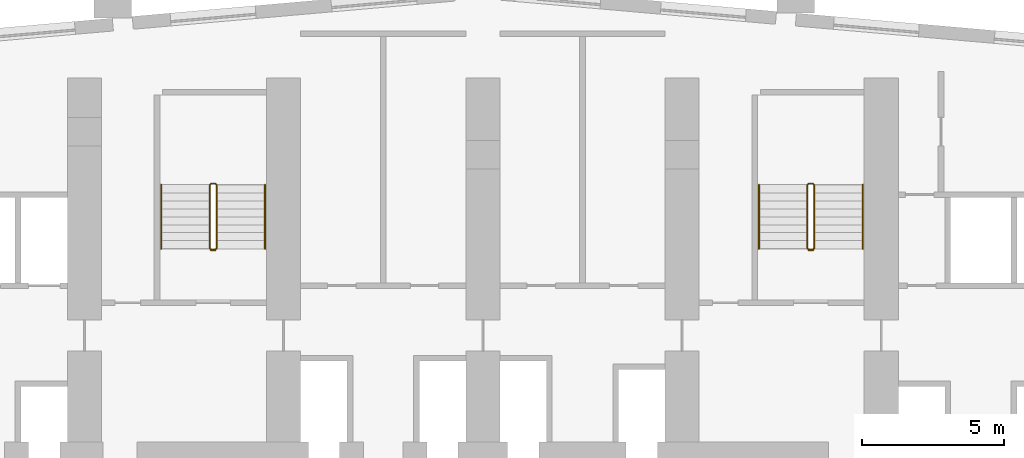
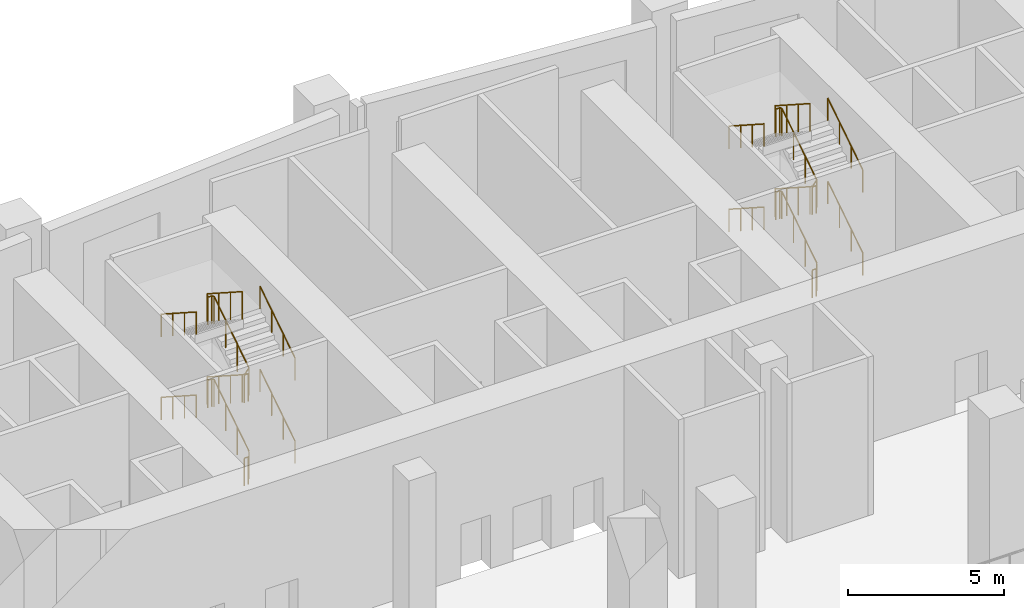
# One storey, part 29 of 30: 12 railings.
"""IFC4 building model written with IfcOpenShell, lengths in metres."""

import ifcopenshell
import ifcopenshell.guid

model = None  # the IFC model being written
_history = None  # IfcOwnerHistory: only IFC2X3 demands one
_inside = {}  # id of a spatial element -> (the spatial element, [elements in it])
_under = {}  # id of a project, library or spatial element -> (it, [spatial elements below it])
_declared = {}  # id of a project -> (the project, [libraries it declares])
_typed = {}  # id of a type object -> (the type object, [elements of that type])
_made_of = {}  # id of a material, layer set ... -> (it, [elements and type objects made of it])


def new_model(schema):
    """Start an empty IFC model of exactly this schema.

    Asked for "IFC4X3", IfcOpenShell would pick the latest addendum, in which some entities
    have other attributes; the version numbers below select the first issue.
    IFC2X3 requires an IfcOwnerHistory on every rooted entity: one is made here for all.
    """
    global model, _history
    if schema == "IFC4X3":
        model = ifcopenshell.file(schema_version=(4, 3, 0, 0))
    else:
        model = ifcopenshell.file(schema=schema)
    _inside.clear()
    _under.clear()
    _declared.clear()
    _typed.clear()
    _made_of.clear()
    _history = None
    if model.schema == "IFC2X3":
        org = make("IfcOrganization", Name="unknown")
        user = make(
            "IfcPersonAndOrganization",
            ThePerson=make("IfcPerson", FamilyName="unknown"),
            TheOrganization=org,
        )
        app = make(
            "IfcApplication",
            ApplicationDeveloper=org,
            Version="unknown",
            ApplicationFullName="unknown",
            ApplicationIdentifier="unknown",
        )
        _history = make(
            "IfcOwnerHistory",
            OwningUser=user,
            OwningApplication=app,
            ChangeAction="ADDED",
            CreationDate=0,
        )
    return model


def make(cls, **values):
    """One entity of the class cls with the attributes given. An attribute that is None is left unset."""
    return model.create_entity(
        cls, **{name: value for name, value in values.items() if value is not None}
    )


def rooted(cls, **values):
    """An entity with a GlobalId (a new one), such as an element, a storey or a relation."""
    return make(cls, GlobalId=ifcopenshell.guid.new(), OwnerHistory=_history, **values)


def si_unit(unit_type, name, prefix=None):
    """IfcSIUnit, for example si_unit("LENGTHUNIT", "METRE", prefix="MILLI")."""
    return make("IfcSIUnit", UnitType=unit_type, Prefix=prefix, Name=name)


def assignment(units):
    """IfcUnitAssignment: the units of a project."""
    return None if units is None else make("IfcUnitAssignment", Units=units)


def point(xyz):
    """IfcCartesianPoint."""
    return None if xyz is None else make("IfcCartesianPoint", Coordinates=xyz)


def direction(xyz):
    """IfcDirection."""
    return None if xyz is None else make("IfcDirection", DirectionRatios=xyz)


def frame(location, z_axis=None, x_axis=None):
    """IfcAxis2Placement3D, a coordinate frame: its origin and axes. An axis left out is left unset."""
    return make(
        "IfcAxis2Placement3D",
        Location=point(location),
        Axis=direction(z_axis),
        RefDirection=direction(x_axis),
    )


def frame_2d(location, x_axis=None):
    """IfcAxis2Placement2D, a coordinate frame in the plane: its origin and x axis."""
    return make(
        "IfcAxis2Placement2D", Location=point(location), RefDirection=direction(x_axis)
    )


def origin():
    """The frame at (0, 0, 0) with its axes left unset."""
    return frame((0.0, 0.0, 0.0))


def origin_2d():
    """The frame at (0, 0) in the plane with its x axis left unset."""
    return frame_2d((0.0, 0.0))


def place(relative_to, where):
    """IfcLocalPlacement: puts the frame where relative to a parent placement (None: the world)."""
    return make(
        "IfcLocalPlacement", PlacementRelTo=relative_to, RelativePlacement=where
    )


def context(
    kind, dimensions, precision=None, world=None, true_north=None, identifier=None
):
    """IfcGeometricRepresentationContext, for example the 3D "Model" context."""
    return make(
        "IfcGeometricRepresentationContext",
        ContextIdentifier=identifier,
        ContextType=kind,
        CoordinateSpaceDimension=dimensions,
        Precision=precision,
        WorldCoordinateSystem=world,
        TrueNorth=true_north,
    )


def subcontext(parent, identifier, kind, view, scale=None):
    """IfcGeometricRepresentationSubContext, for example "Body" below "Model"."""
    return make(
        "IfcGeometricRepresentationSubContext",
        ContextIdentifier=identifier,
        ContextType=kind,
        ParentContext=parent,
        TargetScale=scale,
        TargetView=view,
    )


def project(units=None, contexts=None):
    """IfcProject with its units and contexts."""
    return rooted(
        "IfcProject",
        Name="project",
        RepresentationContexts=contexts,
        UnitsInContext=assignment(units),
    )


def spatial(cls, under=None, at=None, **own):
    """A site, building, storey or space (cls), placed at a placement, below another one or the project."""
    s = rooted(cls, ObjectPlacement=at, **own)
    if under is not None:
        _under.setdefault(under.id(), (under, []))[1].append(s)
    return s


def profile(cls, at=None, kind="AREA", **sizes):
    """A parametric profile (cls). Its sizes go by their IFC names, for example OverallWidth=200.0."""
    return make(cls, ProfileType=kind, Position=at, **sizes)


def circle(**sizes):
    """IfcCircleProfileDef."""
    return profile("IfcCircleProfileDef", **sizes)


def extrude(swept, where, along, depth):
    """IfcExtrudedAreaSolid: the profile swept, set in the frame where, extruded along a direction by depth."""
    return make(
        "IfcExtrudedAreaSolid",
        SweptArea=swept,
        Position=where,
        ExtrudedDirection=direction(along),
        Depth=depth,
    )


def shape(context_of_items, identifier, shape_type, items):
    """IfcShapeRepresentation: the items that make up one representation, for example the "Body"."""
    return make(
        "IfcShapeRepresentation",
        ContextOfItems=context_of_items,
        RepresentationIdentifier=identifier,
        RepresentationType=shape_type,
        Items=items,
    )


def material(Name=None, Category=None):
    """IfcMaterial."""
    return make("IfcMaterial", Name=Name, Category=Category)


def made_of(thing, what):
    """Note that an element or type object is made of a material, layer set ...; save() writes the relation."""
    if what is not None:
        _made_of.setdefault(what.id(), (what, []))[1].append(thing)
    return thing


def type_object(cls, material=None, **own):
    """A type object (cls), such as IfcWallType, which elements share."""
    return made_of(rooted(cls, **own), material)


def element(
    cls,
    number,
    at=None,
    inside=None,
    cuts=None,
    type_object=None,
    material=None,
    context=None,
    identifier="Body",
    shape_type=None,
    held_by="IfcProductDefinitionShape",
    body=None,
    shapes=None,
    **own,
):
    """One element of the class cls, such as IfcWall. Its Tag is "e" and its number.

    at: its placement. inside: the storey or other place that contains it. cuts: it is an
    opening in that element (IfcRelVoidsElement). A single representation is given by context,
    identifier, shape_type and body (its items); several are given by shapes. held_by: the class
    of the entity that holds the representations. save() writes the other relations.
    """
    e = rooted(cls, Tag="e%d" % number, ObjectPlacement=at, **own)
    if body is not None:
        shapes = [shape(context, identifier, shape_type, body)]
    if shapes is not None:
        e.Representation = make(held_by, Representations=shapes)
    if inside is not None:
        _inside.setdefault(inside.id(), (inside, []))[1].append(e)
    if cuts is not None:
        rooted(
            "IfcRelVoidsElement", RelatingBuildingElement=cuts, RelatedOpeningElement=e
        )
    if type_object is not None:
        _typed.setdefault(type_object.id(), (type_object, []))[1].append(e)
    return made_of(e, material)


def aggregate(whole, parts):
    """IfcRelAggregates: a whole, such as a stair, and the parts it consists of."""
    return rooted("IfcRelAggregates", RelatingObject=whole, RelatedObjects=parts)


def save(model, path):
    """Write the relations noted so far, then the file.

    IfcRelAggregates (storeys below a building ...), IfcRelContainedInSpatialStructure (elements
    in a storey), IfcRelDefinesByType, IfcRelAssociatesMaterial and IfcRelDeclares: one each for
    every whole, place, type object, material and project.
    """
    for whole, parts in _under.values():
        aggregate(whole, parts)
    for where, things in _inside.values():
        rooted(
            "IfcRelContainedInSpatialStructure",
            RelatedElements=things,
            RelatingStructure=where,
        )
    for kind, things in _typed.values():
        rooted("IfcRelDefinesByType", RelatedObjects=things, RelatingType=kind)
    for what, things in _made_of.values():
        rooted("IfcRelAssociatesMaterial", RelatedObjects=things, RelatingMaterial=what)
    for by, libraries in _declared.values():
        rooted("IfcRelDeclares", RelatingContext=by, RelatedDefinitions=libraries)
    model.write(path)


model = new_model("IFC4")

# Units and contexts
model_context = context("Model", 3, precision=1e-05, world=origin(), true_north=direction((0.0, 1.0)))
body_context = subcontext(model_context, "Body", "Model", "MODEL_VIEW")
ifc_project = project(units=[si_unit("LENGTHUNIT", "METRE"), si_unit("AREAUNIT", "SQUARE_METRE"), si_unit("VOLUMEUNIT", "CUBIC_METRE"), si_unit("PLANEANGLEUNIT", "RADIAN"), si_unit("MASSUNIT", "GRAM", prefix="KILO")], contexts=[model_context])

# Site, building, storey
site_placement = place(None, origin())
site = spatial("IfcSite", under=ifc_project, at=site_placement, CompositionType="ELEMENT")
building_placement = place(site_placement, origin())
building = spatial("IfcBuilding", under=site, at=building_placement, Name="Wharfspan Tower", CompositionType="ELEMENT")
storey_placement = place(building_placement, frame((0.0, 0.0, 15.0)))
storey = spatial("IfcBuildingStorey", under=building, at=storey_placement, Name="L02", CompositionType="ELEMENT", Elevation=15.0)

# Railings
ifc_material = material(Name="Steel S355J2", Category="steel")
railing_type_1 = type_object("IfcRailingType", Name="Stair guard 1100", PredefinedType="GUARDRAIL", material=ifc_material)
railing_1_placement = place(storey_placement, frame((27.649902, 42.0, 0.180664)))
element("IfcRailing", 1, at=railing_1_placement, inside=storey, type_object=railing_type_1, Name="L02 ST1 stair guard 1", PredefinedType="GUARDRAIL", context=body_context, shape_type="SweptSolid", body=[
    extrude(circle(Radius=0.023926, at=origin_2d()), frame((0.0, 0.0, 1.076172), z_axis=(0.0, 0.840437, 0.54191), x_axis=(-1.0, 0.0, 0.0)), (0.0, 0.0, 1.0), 2.665283),
    extrude(circle(Radius=0.023926, at=origin_2d()), frame((0.0, 2.23999, 2.520508), z_axis=(-0.705376, 0.708834, 0.0), x_axis=(-0.708834, -0.705376, 0.0)), (0.0, 0.0, 1.0), 0.070557),
    extrude(circle(Radius=0.023926, at=origin_2d()), frame((-0.049805, 2.290039, 2.520508), z_axis=(-1.0, 0.0, 0.0), x_axis=(0.0, -1.0, 0.0)), (0.0, 0.0, 1.0), 0.150146),
    extrude(circle(Radius=0.023926, at=origin_2d()), frame((-0.199951, 2.290039, 2.520508), z_axis=(-0.257938, -0.257938, 0.931094), x_axis=(0.707107, -0.707107, 0.0)), (0.0, 0.0, 1.0), 0.194092),
    extrude(circle(Radius=0.023926, at=origin_2d()), frame((-0.25, 2.23999, 2.701172), z_axis=(0.0, -0.840437, 0.54191), x_axis=(1.0, 0.0, 0.0)), (0.0, 0.0, 1.0), 2.665283),
    extrude(circle(Radius=0.023926, at=origin_2d()), frame((-0.25, 0.0, 4.145508), z_axis=(0.970143, -0.242536, 0.0), x_axis=(0.242536, 0.970143, 0.0)), (0.0, 0.0, 1.0), 0.206299),
    extrude(circle(Radius=0.023926, at=origin_2d()), frame((-0.049805, -0.050049, 4.145508), z_axis=(-1.0, 0.0, 0.0), x_axis=(0.0, -1.0, 0.0)), (0.0, 0.0, 1.0), 0.150146),
    extrude(circle(Radius=0.023926, at=origin_2d()), frame((-0.199951, -0.050049, 4.145508), z_axis=(0.729511, 0.182601, 0.659143), x_axis=(-0.242811, 0.970071, -4e-06)), (0.0, 0.0, 1.0), 0.27417),
    extrude(circle(Radius=0.023926, at=origin_2d()), frame((0.0, 0.0, 4.326172), z_axis=(0.0, 0.840437, 0.54191), x_axis=(-1.0, 0.0, 0.0)), (0.0, 0.0, 1.0), 2.665283),
    extrude(circle(Radius=0.023926, at=origin_2d()), frame((0.0, 2.23999, 5.770508), z_axis=(-0.705376, 0.708834, 0.0), x_axis=(-0.708834, -0.705376, 0.0)), (0.0, 0.0, 1.0), 0.070557),
    extrude(circle(Radius=0.023926, at=origin_2d()), frame((-0.049805, 2.290039, 5.770508), z_axis=(-1.0, 0.0, 0.0), x_axis=(0.0, -1.0, 0.0)), (0.0, 0.0, 1.0), 0.150146),
    extrude(circle(Radius=0.023926, at=origin_2d()), frame((-0.199951, 2.290039, 5.770508), z_axis=(-0.257938, -0.257938, 0.931094), x_axis=(0.707107, -0.707107, 0.0)), (0.0, 0.0, 1.0), 0.194092),
    extrude(circle(Radius=0.023926, at=origin_2d()), frame((-0.25, 2.23999, 5.951172), z_axis=(0.0, -0.840437, 0.54191), x_axis=(1.0, 0.0, 0.0)), (0.0, 0.0, 1.0), 2.665283),
    extrude(circle(Radius=0.020996, at=origin_2d()), origin(), (0.0, 0.0, 1.0), 1.052002),
    extrude(circle(Radius=0.020996, at=origin_2d()), frame((0.0, 0.746582, 0.481445)), (0.0, 0.0, 1.0), 1.052002),
    extrude(circle(Radius=0.020996, at=origin_2d()), frame((0.0, 1.493408, 0.962891)), (0.0, 0.0, 1.0), 1.052002),
    extrude(circle(Radius=0.020996, at=origin_2d()), frame((0.0, 2.23999, 1.444336)), (0.0, 0.0, 1.0), 1.052002),
    extrude(circle(Radius=0.020996, at=origin_2d()), frame((-0.049805, 2.290039, 1.444336)), (0.0, 0.0, 1.0), 1.052002),
    extrude(circle(Radius=0.020996, at=origin_2d()), frame((-0.199951, 2.290039, 1.444336)), (0.0, 0.0, 1.0), 1.052002),
    extrude(circle(Radius=0.020996, at=origin_2d()), frame((-0.25, 2.23999, 1.625)), (0.0, 0.0, 1.0), 1.052002),
    extrude(circle(Radius=0.020996, at=origin_2d()), frame((-0.25, 1.493408, 2.106445)), (0.0, 0.0, 1.0), 1.052002),
    extrude(circle(Radius=0.020996, at=origin_2d()), frame((-0.25, 0.746582, 2.587891)), (0.0, 0.0, 1.0), 1.052002),
    extrude(circle(Radius=0.020996, at=origin_2d()), frame((-0.25, 0.0, 3.069336)), (0.0, 0.0, 1.0), 1.052002),
    extrude(circle(Radius=0.020996, at=origin_2d()), frame((-0.049805, -0.050049, 3.069336)), (0.0, 0.0, 1.0), 1.052002),
    extrude(circle(Radius=0.020996, at=origin_2d()), frame((-0.199951, -0.050049, 3.069336)), (0.0, 0.0, 1.0), 1.052002),
    extrude(circle(Radius=0.020996, at=origin_2d()), frame((0.0, 0.0, 3.25)), (0.0, 0.0, 1.0), 1.052002),
    extrude(circle(Radius=0.020996, at=origin_2d()), frame((0.0, 0.746582, 3.731445)), (0.0, 0.0, 1.0), 1.052002),
    extrude(circle(Radius=0.020996, at=origin_2d()), frame((0.0, 1.493408, 4.212891)), (0.0, 0.0, 1.0), 1.052002),
    extrude(circle(Radius=0.020996, at=origin_2d()), frame((0.0, 2.23999, 4.694336)), (0.0, 0.0, 1.0), 1.052002),
    extrude(circle(Radius=0.020996, at=origin_2d()), frame((-0.049805, 2.290039, 4.694336)), (0.0, 0.0, 1.0), 1.052002),
    extrude(circle(Radius=0.020996, at=origin_2d()), frame((-0.199951, 2.290039, 4.694336)), (0.0, 0.0, 1.0), 1.052002),
    extrude(circle(Radius=0.020996, at=origin_2d()), frame((-0.25, 2.23999, 4.875)), (0.0, 0.0, 1.0), 1.052002),
    extrude(circle(Radius=0.020996, at=origin_2d()), frame((-0.25, 1.493408, 5.356445)), (0.0, 0.0, 1.0), 1.052002),
    extrude(circle(Radius=0.020996, at=origin_2d()), frame((-0.25, 0.746582, 5.837891)), (0.0, 0.0, 1.0), 1.052002),
    extrude(circle(Radius=0.020996, at=origin_2d()), frame((-0.25, 0.0, 6.319336)), (0.0, 0.0, 1.0), 1.052002),
])
railing_2_placement = place(storey_placement, frame((27.600098, 41.949951, 0.0)))
element("IfcRailing", 2, at=railing_2_placement, inside=storey, type_object=railing_type_1, Name="L02 ST1 stair guard 2", PredefinedType="GUARDRAIL", context=body_context, shape_type="SweptSolid", body=[
    extrude(circle(Radius=0.023926, at=origin_2d()), frame((0.0, 0.0, 1.076172), z_axis=(-1.0, 0.0, 0.0), x_axis=(0.0, -1.0, 0.0)), (0.0, 0.0, 1.0), 0.150146),
    extrude(circle(Radius=0.020996, at=origin_2d()), origin(), (0.0, 0.0, 1.0), 1.052002),
    extrude(circle(Radius=0.020996, at=origin_2d()), frame((-0.150146, 0.0, 0.0)), (0.0, 0.0, 1.0), 1.052002),
])
railing_3_placement = place(storey_placement, frame((48.649902, 42.0, 0.180664)))
element("IfcRailing", 3, at=railing_3_placement, inside=storey, type_object=railing_type_1, Name="L02 ST2 stair guard 1", PredefinedType="GUARDRAIL", context=body_context, shape_type="SweptSolid", body=[
    extrude(circle(Radius=0.023926, at=origin_2d()), frame((0.0, 0.0, 1.076172), z_axis=(0.0, 0.840437, 0.54191), x_axis=(-1.0, 0.0, 0.0)), (0.0, 0.0, 1.0), 2.665283),
    extrude(circle(Radius=0.023926, at=origin_2d()), frame((0.0, 2.23999, 2.520508), z_axis=(-0.705376, 0.708834, 0.0), x_axis=(-0.708834, -0.705376, 0.0)), (0.0, 0.0, 1.0), 0.070557),
    extrude(circle(Radius=0.023926, at=origin_2d()), frame((-0.049805, 2.290039, 2.520508), z_axis=(-1.0, 0.0, 0.0), x_axis=(0.0, -1.0, 0.0)), (0.0, 0.0, 1.0), 0.150146),
    extrude(circle(Radius=0.023926, at=origin_2d()), frame((-0.199951, 2.290039, 2.520508), z_axis=(-0.257938, -0.257938, 0.931094), x_axis=(0.707107, -0.707107, 0.0)), (0.0, 0.0, 1.0), 0.194092),
    extrude(circle(Radius=0.023926, at=origin_2d()), frame((-0.25, 2.23999, 2.701172), z_axis=(0.0, -0.840437, 0.54191), x_axis=(1.0, 0.0, 0.0)), (0.0, 0.0, 1.0), 2.665283),
    extrude(circle(Radius=0.023926, at=origin_2d()), frame((-0.25, 0.0, 4.145508), z_axis=(0.970143, -0.242536, 0.0), x_axis=(0.242536, 0.970143, 0.0)), (0.0, 0.0, 1.0), 0.206299),
    extrude(circle(Radius=0.023926, at=origin_2d()), frame((-0.049805, -0.050049, 4.145508), z_axis=(-1.0, 0.0, 0.0), x_axis=(0.0, -1.0, 0.0)), (0.0, 0.0, 1.0), 0.150146),
    extrude(circle(Radius=0.023926, at=origin_2d()), frame((-0.199951, -0.050049, 4.145508), z_axis=(0.729511, 0.182601, 0.659143), x_axis=(-0.242811, 0.970071, -4e-06)), (0.0, 0.0, 1.0), 0.27417),
    extrude(circle(Radius=0.023926, at=origin_2d()), frame((0.0, 0.0, 4.326172), z_axis=(0.0, 0.840437, 0.54191), x_axis=(-1.0, 0.0, 0.0)), (0.0, 0.0, 1.0), 2.665283),
    extrude(circle(Radius=0.023926, at=origin_2d()), frame((0.0, 2.23999, 5.770508), z_axis=(-0.705376, 0.708834, 0.0), x_axis=(-0.708834, -0.705376, 0.0)), (0.0, 0.0, 1.0), 0.070557),
    extrude(circle(Radius=0.023926, at=origin_2d()), frame((-0.049805, 2.290039, 5.770508), z_axis=(-1.0, 0.0, 0.0), x_axis=(0.0, -1.0, 0.0)), (0.0, 0.0, 1.0), 0.150146),
    extrude(circle(Radius=0.023926, at=origin_2d()), frame((-0.199951, 2.290039, 5.770508), z_axis=(-0.257938, -0.257938, 0.931094), x_axis=(0.707107, -0.707107, 0.0)), (0.0, 0.0, 1.0), 0.194092),
    extrude(circle(Radius=0.023926, at=origin_2d()), frame((-0.25, 2.23999, 5.951172), z_axis=(0.0, -0.840437, 0.54191), x_axis=(1.0, 0.0, 0.0)), (0.0, 0.0, 1.0), 2.665283),
    extrude(circle(Radius=0.020996, at=origin_2d()), origin(), (0.0, 0.0, 1.0), 1.052002),
    extrude(circle(Radius=0.020996, at=origin_2d()), frame((0.0, 0.746582, 0.481445)), (0.0, 0.0, 1.0), 1.052002),
    extrude(circle(Radius=0.020996, at=origin_2d()), frame((0.0, 1.493408, 0.962891)), (0.0, 0.0, 1.0), 1.052002),
    extrude(circle(Radius=0.020996, at=origin_2d()), frame((0.0, 2.23999, 1.444336)), (0.0, 0.0, 1.0), 1.052002),
    extrude(circle(Radius=0.020996, at=origin_2d()), frame((-0.049805, 2.290039, 1.444336)), (0.0, 0.0, 1.0), 1.052002),
    extrude(circle(Radius=0.020996, at=origin_2d()), frame((-0.199951, 2.290039, 1.444336)), (0.0, 0.0, 1.0), 1.052002),
    extrude(circle(Radius=0.020996, at=origin_2d()), frame((-0.25, 2.23999, 1.625)), (0.0, 0.0, 1.0), 1.052002),
    extrude(circle(Radius=0.020996, at=origin_2d()), frame((-0.25, 1.493408, 2.106445)), (0.0, 0.0, 1.0), 1.052002),
    extrude(circle(Radius=0.020996, at=origin_2d()), frame((-0.25, 0.746582, 2.587891)), (0.0, 0.0, 1.0), 1.052002),
    extrude(circle(Radius=0.020996, at=origin_2d()), frame((-0.25, 0.0, 3.069336)), (0.0, 0.0, 1.0), 1.052002),
    extrude(circle(Radius=0.020996, at=origin_2d()), frame((-0.049805, -0.050049, 3.069336)), (0.0, 0.0, 1.0), 1.052002),
    extrude(circle(Radius=0.020996, at=origin_2d()), frame((-0.199951, -0.050049, 3.069336)), (0.0, 0.0, 1.0), 1.052002),
    extrude(circle(Radius=0.020996, at=origin_2d()), frame((0.0, 0.0, 3.25)), (0.0, 0.0, 1.0), 1.052002),
    extrude(circle(Radius=0.020996, at=origin_2d()), frame((0.0, 0.746582, 3.731445)), (0.0, 0.0, 1.0), 1.052002),
    extrude(circle(Radius=0.020996, at=origin_2d()), frame((0.0, 1.493408, 4.212891)), (0.0, 0.0, 1.0), 1.052002),
    extrude(circle(Radius=0.020996, at=origin_2d()), frame((0.0, 2.23999, 4.694336)), (0.0, 0.0, 1.0), 1.052002),
    extrude(circle(Radius=0.020996, at=origin_2d()), frame((-0.049805, 2.290039, 4.694336)), (0.0, 0.0, 1.0), 1.052002),
    extrude(circle(Radius=0.020996, at=origin_2d()), frame((-0.199951, 2.290039, 4.694336)), (0.0, 0.0, 1.0), 1.052002),
    extrude(circle(Radius=0.020996, at=origin_2d()), frame((-0.25, 2.23999, 4.875)), (0.0, 0.0, 1.0), 1.052002),
    extrude(circle(Radius=0.020996, at=origin_2d()), frame((-0.25, 1.493408, 5.356445)), (0.0, 0.0, 1.0), 1.052002),
    extrude(circle(Radius=0.020996, at=origin_2d()), frame((-0.25, 0.746582, 5.837891)), (0.0, 0.0, 1.0), 1.052002),
    extrude(circle(Radius=0.020996, at=origin_2d()), frame((-0.25, 0.0, 6.319336)), (0.0, 0.0, 1.0), 1.052002),
])
railing_4_placement = place(storey_placement, frame((48.600098, 41.949951, 0.0)))
element("IfcRailing", 4, at=railing_4_placement, inside=storey, type_object=railing_type_1, Name="L02 ST2 stair guard 2", PredefinedType="GUARDRAIL", context=body_context, shape_type="SweptSolid", body=[
    extrude(circle(Radius=0.023926, at=origin_2d()), frame((0.0, 0.0, 1.076172), z_axis=(-1.0, 0.0, 0.0), x_axis=(0.0, -1.0, 0.0)), (0.0, 0.0, 1.0), 0.150146),
    extrude(circle(Radius=0.020996, at=origin_2d()), origin(), (0.0, 0.0, 1.0), 1.052002),
    extrude(circle(Radius=0.020996, at=origin_2d()), frame((-0.150146, 0.0, 0.0)), (0.0, 0.0, 1.0), 1.052002),
])
railing_type_2 = type_object("IfcRailingType", Name="Stair handrail 900", PredefinedType="HANDRAIL", material=ifc_material)
railing_5_placement = place(storey_placement, frame((29.350098, 42.0, 0.180664)))
element("IfcRailing", 5, at=railing_5_placement, inside=storey, type_object=railing_type_2, Name="L02 ST1 stair handrail 1", PredefinedType="HANDRAIL", context=body_context, shape_type="SweptSolid", body=[
    extrude(circle(Radius=0.023926, at=origin_2d()), frame((0.0, 0.0, 0.875977), z_axis=(0.0, 0.840437, 0.54191), x_axis=(-1.0, 0.0, 0.0)), (0.0, 0.0, 1.0), 2.665283),
    extrude(circle(Radius=0.020996, at=origin_2d()), origin(), (0.0, 0.0, 1.0), 0.851807),
    extrude(circle(Radius=0.020996, at=origin_2d()), frame((0.0, 0.746582, 0.481445)), (0.0, 0.0, 1.0), 0.851807),
    extrude(circle(Radius=0.020996, at=origin_2d()), frame((0.0, 1.493408, 0.962891)), (0.0, 0.0, 1.0), 0.851807),
    extrude(circle(Radius=0.020996, at=origin_2d()), frame((0.0, 2.23999, 1.444336)), (0.0, 0.0, 1.0), 0.851807),
])
railing_6_placement = place(storey_placement, frame((25.699951, 44.23999, 1.805664)))
element("IfcRailing", 6, at=railing_6_placement, inside=storey, type_object=railing_type_2, Name="L02 ST1 stair handrail 2", PredefinedType="HANDRAIL", context=body_context, shape_type="SweptSolid", body=[
    extrude(circle(Radius=0.023926, at=origin_2d()), frame((0.0, 0.0, 0.875977), z_axis=(0.0, -0.840437, 0.54191), x_axis=(1.0, 0.0, 0.0)), (0.0, 0.0, 1.0), 2.665283),
    extrude(circle(Radius=0.020996, at=origin_2d()), origin(), (0.0, 0.0, 1.0), 0.851807),
    extrude(circle(Radius=0.020996, at=origin_2d()), frame((0.0, -0.746582, 0.481445)), (0.0, 0.0, 1.0), 0.851807),
    extrude(circle(Radius=0.020996, at=origin_2d()), frame((0.0, -1.493408, 0.962891)), (0.0, 0.0, 1.0), 0.851807),
    extrude(circle(Radius=0.020996, at=origin_2d()), frame((0.0, -2.23999, 1.444336)), (0.0, 0.0, 1.0), 0.851807),
])
railing_7_placement = place(storey_placement, frame((29.350098, 42.0, 3.430664)))
element("IfcRailing", 7, at=railing_7_placement, inside=storey, type_object=railing_type_2, Name="L02 ST1 stair handrail 3", PredefinedType="HANDRAIL", context=body_context, shape_type="SweptSolid", body=[
    extrude(circle(Radius=0.023926, at=origin_2d()), frame((0.0, 0.0, 0.875977), z_axis=(0.0, 0.840437, 0.54191), x_axis=(-1.0, 0.0, 0.0)), (0.0, 0.0, 1.0), 2.665283),
    extrude(circle(Radius=0.020996, at=origin_2d()), origin(), (0.0, 0.0, 1.0), 0.851807),
    extrude(circle(Radius=0.020996, at=origin_2d()), frame((0.0, 0.746582, 0.481445)), (0.0, 0.0, 1.0), 0.851807),
    extrude(circle(Radius=0.020996, at=origin_2d()), frame((0.0, 1.493408, 0.962891)), (0.0, 0.0, 1.0), 0.851807),
    extrude(circle(Radius=0.020996, at=origin_2d()), frame((0.0, 2.23999, 1.444336)), (0.0, 0.0, 1.0), 0.851807),
])
railing_8_placement = place(storey_placement, frame((25.699951, 44.23999, 5.055664)))
element("IfcRailing", 8, at=railing_8_placement, inside=storey, type_object=railing_type_2, Name="L02 ST1 stair handrail 4", PredefinedType="HANDRAIL", context=body_context, shape_type="SweptSolid", body=[
    extrude(circle(Radius=0.023926, at=origin_2d()), frame((0.0, 0.0, 0.875977), z_axis=(0.0, -0.840437, 0.54191), x_axis=(1.0, 0.0, 0.0)), (0.0, 0.0, 1.0), 2.665283),
    extrude(circle(Radius=0.020996, at=origin_2d()), origin(), (0.0, 0.0, 1.0), 0.851807),
    extrude(circle(Radius=0.020996, at=origin_2d()), frame((0.0, -0.746582, 0.481445)), (0.0, 0.0, 1.0), 0.851807),
    extrude(circle(Radius=0.020996, at=origin_2d()), frame((0.0, -1.493408, 0.962891)), (0.0, 0.0, 1.0), 0.851807),
    extrude(circle(Radius=0.020996, at=origin_2d()), frame((0.0, -2.23999, 1.444336)), (0.0, 0.0, 1.0), 0.851807),
])
railing_9_placement = place(storey_placement, frame((50.350098, 42.0, 0.180664)))
element("IfcRailing", 9, at=railing_9_placement, inside=storey, type_object=railing_type_2, Name="L02 ST2 stair handrail 1", PredefinedType="HANDRAIL", context=body_context, shape_type="SweptSolid", body=[
    extrude(circle(Radius=0.023926, at=origin_2d()), frame((0.0, 0.0, 0.875977), z_axis=(0.0, 0.840437, 0.54191), x_axis=(-1.0, 0.0, 0.0)), (0.0, 0.0, 1.0), 2.665283),
    extrude(circle(Radius=0.020996, at=origin_2d()), origin(), (0.0, 0.0, 1.0), 0.851807),
    extrude(circle(Radius=0.020996, at=origin_2d()), frame((0.0, 0.746582, 0.481445)), (0.0, 0.0, 1.0), 0.851807),
    extrude(circle(Radius=0.020996, at=origin_2d()), frame((0.0, 1.493408, 0.962891)), (0.0, 0.0, 1.0), 0.851807),
    extrude(circle(Radius=0.020996, at=origin_2d()), frame((0.0, 2.23999, 1.444336)), (0.0, 0.0, 1.0), 0.851807),
])
railing_10_placement = place(storey_placement, frame((46.699951, 44.23999, 1.805664)))
element("IfcRailing", 10, at=railing_10_placement, inside=storey, type_object=railing_type_2, Name="L02 ST2 stair handrail 2", PredefinedType="HANDRAIL", context=body_context, shape_type="SweptSolid", body=[
    extrude(circle(Radius=0.023926, at=origin_2d()), frame((0.0, 0.0, 0.875977), z_axis=(0.0, -0.840437, 0.54191), x_axis=(1.0, 0.0, 0.0)), (0.0, 0.0, 1.0), 2.665283),
    extrude(circle(Radius=0.020996, at=origin_2d()), origin(), (0.0, 0.0, 1.0), 0.851807),
    extrude(circle(Radius=0.020996, at=origin_2d()), frame((0.0, -0.746582, 0.481445)), (0.0, 0.0, 1.0), 0.851807),
    extrude(circle(Radius=0.020996, at=origin_2d()), frame((0.0, -1.493408, 0.962891)), (0.0, 0.0, 1.0), 0.851807),
    extrude(circle(Radius=0.020996, at=origin_2d()), frame((0.0, -2.23999, 1.444336)), (0.0, 0.0, 1.0), 0.851807),
])
railing_11_placement = place(storey_placement, frame((50.350098, 42.0, 3.430664)))
element("IfcRailing", 11, at=railing_11_placement, inside=storey, type_object=railing_type_2, Name="L02 ST2 stair handrail 3", PredefinedType="HANDRAIL", context=body_context, shape_type="SweptSolid", body=[
    extrude(circle(Radius=0.023926, at=origin_2d()), frame((0.0, 0.0, 0.875977), z_axis=(0.0, 0.840437, 0.54191), x_axis=(-1.0, 0.0, 0.0)), (0.0, 0.0, 1.0), 2.665283),
    extrude(circle(Radius=0.020996, at=origin_2d()), origin(), (0.0, 0.0, 1.0), 0.851807),
    extrude(circle(Radius=0.020996, at=origin_2d()), frame((0.0, 0.746582, 0.481445)), (0.0, 0.0, 1.0), 0.851807),
    extrude(circle(Radius=0.020996, at=origin_2d()), frame((0.0, 1.493408, 0.962891)), (0.0, 0.0, 1.0), 0.851807),
    extrude(circle(Radius=0.020996, at=origin_2d()), frame((0.0, 2.23999, 1.444336)), (0.0, 0.0, 1.0), 0.851807),
])
railing_12_placement = place(storey_placement, frame((46.699951, 44.23999, 5.055664)))
element("IfcRailing", 12, at=railing_12_placement, inside=storey, type_object=railing_type_2, Name="L02 ST2 stair handrail 4", PredefinedType="HANDRAIL", context=body_context, shape_type="SweptSolid", body=[
    extrude(circle(Radius=0.023926, at=origin_2d()), frame((0.0, 0.0, 0.875977), z_axis=(0.0, -0.840437, 0.54191), x_axis=(1.0, 0.0, 0.0)), (0.0, 0.0, 1.0), 2.665283),
    extrude(circle(Radius=0.020996, at=origin_2d()), origin(), (0.0, 0.0, 1.0), 0.851807),
    extrude(circle(Radius=0.020996, at=origin_2d()), frame((0.0, -0.746582, 0.481445)), (0.0, 0.0, 1.0), 0.851807),
    extrude(circle(Radius=0.020996, at=origin_2d()), frame((0.0, -1.493408, 0.962891)), (0.0, 0.0, 1.0), 0.851807),
    extrude(circle(Radius=0.020996, at=origin_2d()), frame((0.0, -2.23999, 1.444336)), (0.0, 0.0, 1.0), 0.851807),
])

save(model, "model.ifc")
